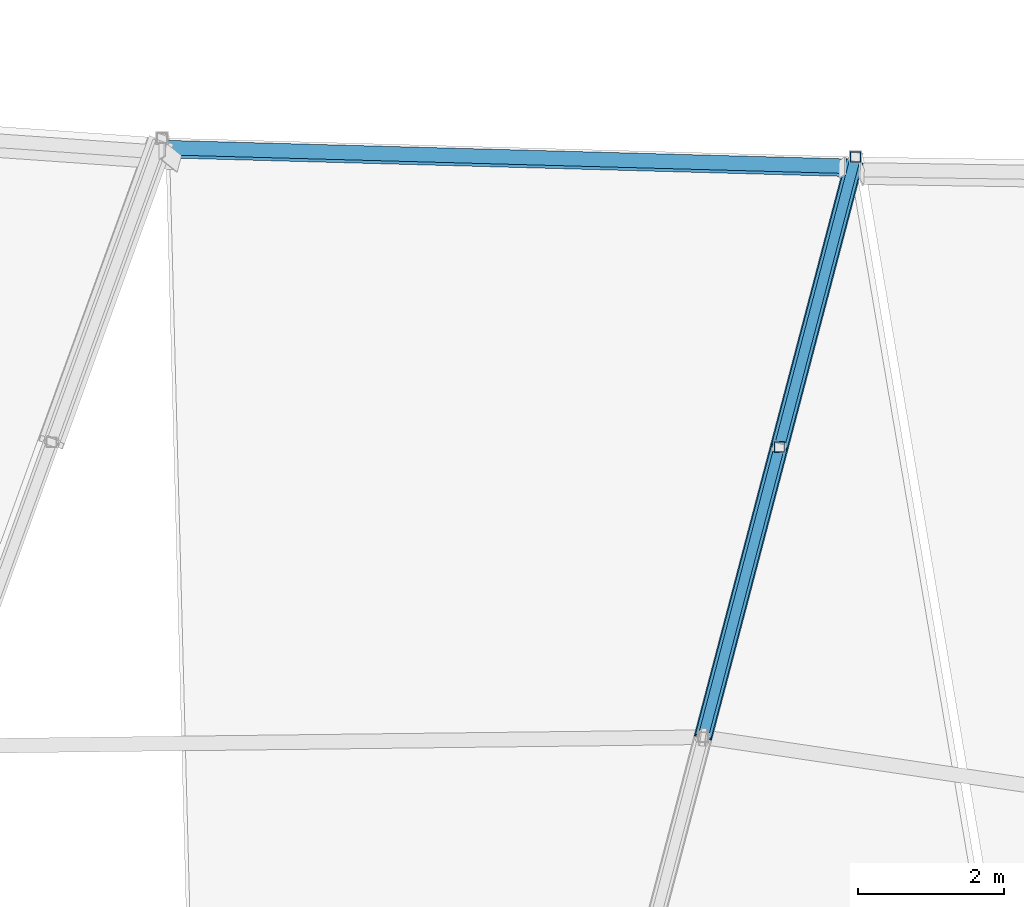
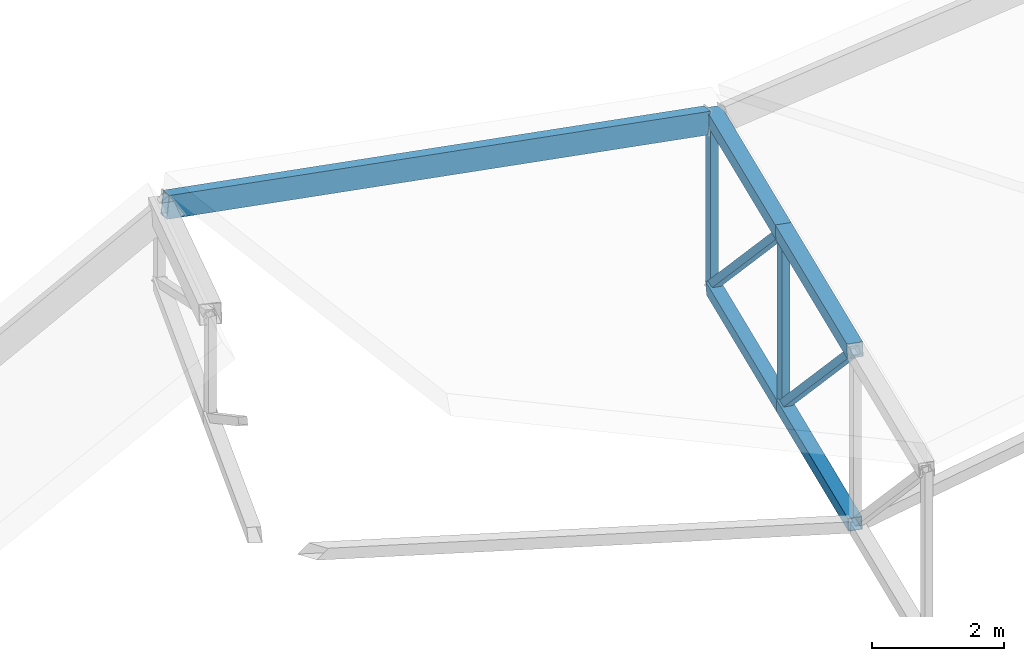
# One storey, part 44 of 344: 8 members, 1 beam.
"""IFC4 building model written with IfcOpenShell, lengths in metres."""

from ifc_helpers import new_model, si_unit, direction, frame, origin, origin_2d, place, context, subcontext, project, spatial, hollow_rectangle, extrude, material, material_profile, profile_set, type_object, element, save


model = new_model("IFC4")

# Units and contexts
model_context = context("Model", 3, precision=1e-05, world=origin(), true_north=direction((0.0, 1.0)))
body_context = subcontext(model_context, "Body", "Model", "MODEL_VIEW")
ifc_project = project(units=[si_unit("LENGTHUNIT", "METRE"), si_unit("AREAUNIT", "SQUARE_METRE"), si_unit("VOLUMEUNIT", "CUBIC_METRE"), si_unit("PLANEANGLEUNIT", "RADIAN"), si_unit("MASSUNIT", "GRAM", prefix="KILO")], contexts=[model_context])

# Site, building, storey
site_placement = place(None, origin())
site = spatial("IfcSite", under=ifc_project, at=site_placement, CompositionType="ELEMENT")
building_placement = place(site_placement, origin())
building = spatial("IfcBuilding", under=site, at=building_placement, Name="Meseta Stadium", CompositionType="ELEMENT")
storey_placement = place(building_placement, frame((0.0, 0.0, 24.0)))
storey = spatial("IfcBuildingStorey", under=building, at=storey_placement, Name="L04", CompositionType="ELEMENT", Elevation=24.0)

# Beam
ifc_material_1 = material(Name="Steel S355", Category="steel")
ifc_material_profile_1 = material_profile(ifc_material_1, hollow_rectangle(XDim=0.199951171875, YDim=0.39990234375, WallThickness=0.01611328125, at=origin_2d()), Name="RHS 400x200x16")
ifc_profile_set_1 = profile_set([ifc_material_profile_1], Name="Steel S355")
beam_type = type_object("IfcBeamType", Name="RHS 400x200x16 tip ring beam", PredefinedType="BEAM", material=ifc_profile_set_1)
beam_placement = place(storey_placement, frame((-23.864990234375, -65.728271484375, 6.543212890625), z_axis=(0.986143063137, -0.027012646472, -0.16368315722), x_axis=(0.010415854266, 0.994789403222, -0.101417716482)))
element("IfcBeam", 1, at=beam_placement, inside=storey, type_object=beam_type, Name="TIP RING BEAM 45", PredefinedType="BEAM", context=body_context, shape_type="SweptSolid", body=[
    extrude(hollow_rectangle(XDim=0.199951171875, YDim=0.39990234375, WallThickness=0.01611328125, at=origin_2d()), origin(), (0.0, 0.0, 1.0), 9.417724609375),
])

# Members
ifc_material_2 = material(Name="Steel S355", Category="steel")
ifc_material_profile_2 = material_profile(ifc_material_2, hollow_rectangle(XDim=0.139892578125, YDim=0.139892578125, WallThickness=0.0048828125, at=origin_2d()), Name="SHS 140x140x5")
ifc_profile_set_2 = profile_set([ifc_material_profile_2], Name="Steel S355")
member_type_1 = type_object("IfcMemberType", Name="SHS 140x140x5 diagonal", PredefinedType="BRACE", material=ifc_profile_set_2)
for number, where, z_axis, x_axis, name in (
    (2, (-14.3896484375, -65.8369140625, 1.80517578125), (-0.18713881627, -0.711950667419, 0.676834773491), (0.967146922096, -0.254218077801, 0.0), "ROOF TRUSS RT-45 diagonal"),
    (3, (-15.43310546875, -69.806640625, 2.37890625), (-0.18709073138, -0.711978091031, 0.676819219676), (0.967165386929, -0.254147819836, 0.0), "ROOF TRUSS RT-45 diagonal"),
):
    element("IfcMember", number, at=place(storey_placement, frame(where, z_axis=z_axis, x_axis=x_axis)), inside=storey, type_object=member_type_1, Name=name, PredefinedType="BRACE", context=body_context, shape_type="SweptSolid", body=[
        extrude(hollow_rectangle(XDim=0.139892578125, YDim=0.139892578125, WallThickness=0.0048828125, at=origin_2d()), origin(), (0.0, 0.0, 1.0), 5.575927734375),
    ])
ifc_material_3 = material(Name="Steel S355", Category="steel")
ifc_material_profile_3 = material_profile(ifc_material_3, hollow_rectangle(XDim=0.139892578125, YDim=0.139892578125, WallThickness=0.0048828125, at=origin_2d()), Name="SHS 140x140x5")
ifc_profile_set_3 = profile_set([ifc_material_profile_3], Name="Steel S355")
member_type_2 = type_object("IfcMemberType", Name="SHS 140x140x5 post", PredefinedType="POST", material=ifc_profile_set_3)
member_1_placement = place(storey_placement, frame((-15.43310546875, -69.806640625, 2.37890625), z_axis=(0.0, 0.0, 1.0), x_axis=(1.0, 0.0, 0.0)))
element("IfcMember", 4, at=member_1_placement, inside=storey, type_object=member_type_2, Name="ROOF TRUSS RT-45 post", PredefinedType="POST", context=body_context, shape_type="SweptSolid", body=[
    extrude(hollow_rectangle(XDim=0.139892578125, YDim=0.139892578125, WallThickness=0.0048828125, at=origin_2d()), origin(), (0.0, 0.0, 1.0), 3.2001953125),
])
ifc_material_4 = material(Name="Steel S355", Category="steel")
ifc_material_profile_4 = material_profile(ifc_material_4, hollow_rectangle(XDim=0.139892578125, YDim=0.139892578125, WallThickness=0.0048828125, at=origin_2d()), Name="SHS 140x140x5")
ifc_profile_set_4 = profile_set([ifc_material_profile_4], Name="Steel S355")
member_type_3 = type_object("IfcMemberType", Name="SHS 140x140x5 rim post", PredefinedType="POST", material=ifc_profile_set_4)
member_2_placement = place(storey_placement, frame((-14.3896484375, -65.8369140625, 1.80517578125), z_axis=(0.0, 0.0, 1.0), x_axis=(1.0, 0.0, 0.0)))
element("IfcMember", 5, at=member_2_placement, inside=storey, type_object=member_type_3, Name="ROOF TRUSS RT-45 post", PredefinedType="POST", context=body_context, shape_type="SweptSolid", body=[
    extrude(hollow_rectangle(XDim=0.139892578125, YDim=0.139892578125, WallThickness=0.0048828125, at=origin_2d()), origin(), (0.0, 0.0, 1.0), 3.2001953125),
])
ifc_material_5 = material(Name="Steel S355", Category="steel")
ifc_material_profile_5 = material_profile(ifc_material_5, hollow_rectangle(XDim=0.219970703125, YDim=0.219970703125, WallThickness=0.008056640625, at=origin_2d()), Name="SHS 220x220x8")
ifc_profile_set_5 = profile_set([ifc_material_profile_5], Name="Steel S355")
member_type_4 = type_object("IfcMemberType", Name="SHS 220x220x8 bottom chord", PredefinedType="CHORD", material=ifc_profile_set_5)
member_3_placement = place(storey_placement, frame((-14.4072265625, -65.90380859375, 1.81494140625), z_axis=(-0.25177249668, -0.957837965713, 0.138408964143), x_axis=(0.967146596423, -0.254219316788, 0.0)))
element("IfcMember", 6, at=member_3_placement, inside=storey, type_object=member_type_4, Name="ROOF TRUSS RT-45 bottom chord", PredefinedType="CHORD", context=body_context, shape_type="SweptSolid", body=[
    extrude(hollow_rectangle(XDim=0.219970703125, YDim=0.219970703125, WallThickness=0.008056640625, at=origin_2d()), origin(), (0.0, 0.0, 1.0), 4.07470703125),
])
member_4_placement = place(storey_placement, frame((-15.43310546875, -69.806640625, 2.37890625), z_axis=(-0.251701056282, -0.957854171823, 0.138426745205), x_axis=(0.967165386929, -0.254147819836, 0.0)))
element("IfcMember", 7, at=member_4_placement, inside=storey, type_object=member_type_4, Name="ROOF TRUSS RT-45 bottom chord", PredefinedType="CHORD", context=body_context, shape_type="SweptSolid", body=[
    extrude(hollow_rectangle(XDim=0.219970703125, YDim=0.219970703125, WallThickness=0.008056640625, at=origin_2d()), origin(), (0.0, 0.0, 1.0), 4.14453125),
])
ifc_material_6 = material(Name="Steel S355", Category="steel")
ifc_material_profile_6 = material_profile(ifc_material_6, hollow_rectangle(XDim=0.25, YDim=0.25, WallThickness=0.010009765625, at=origin_2d()), Name="SHS 250x250x10")
ifc_profile_set_6 = profile_set([ifc_material_profile_6], Name="Steel S355")
member_type_5 = type_object("IfcMemberType", Name="SHS 250x250x10 top chord", PredefinedType="CHORD", material=ifc_profile_set_6)
member_5_placement = place(storey_placement, frame((-14.4072265625, -65.90380859375, 5.014892578125), z_axis=(-0.251770408282, -0.957830020654, 0.138467732874), x_axis=(0.967146596423, -0.254219316788, 0.0)))
element("IfcMember", 8, at=member_5_placement, inside=storey, type_object=member_type_5, Name="ROOF TRUSS RT-45 top chord", PredefinedType="CHORD", context=body_context, shape_type="SweptSolid", body=[
    extrude(hollow_rectangle(XDim=0.25, YDim=0.25, WallThickness=0.010009765625, at=origin_2d()), origin(), (0.0, 0.0, 1.0), 4.07470703125),
])
member_6_placement = place(storey_placement, frame((-15.43310546875, -69.806640625, 5.5791015625), z_axis=(-0.251701056282, -0.957854171823, 0.138426745205), x_axis=(0.967165386929, -0.254147819836, 0.0)))
element("IfcMember", 9, at=member_6_placement, inside=storey, type_object=member_type_5, Name="ROOF TRUSS RT-45 top chord", PredefinedType="CHORD", context=body_context, shape_type="SweptSolid", body=[
    extrude(hollow_rectangle(XDim=0.25, YDim=0.25, WallThickness=0.010009765625, at=origin_2d()), origin(), (0.0, 0.0, 1.0), 4.14453125),
])

save(model, "model.ifc")
